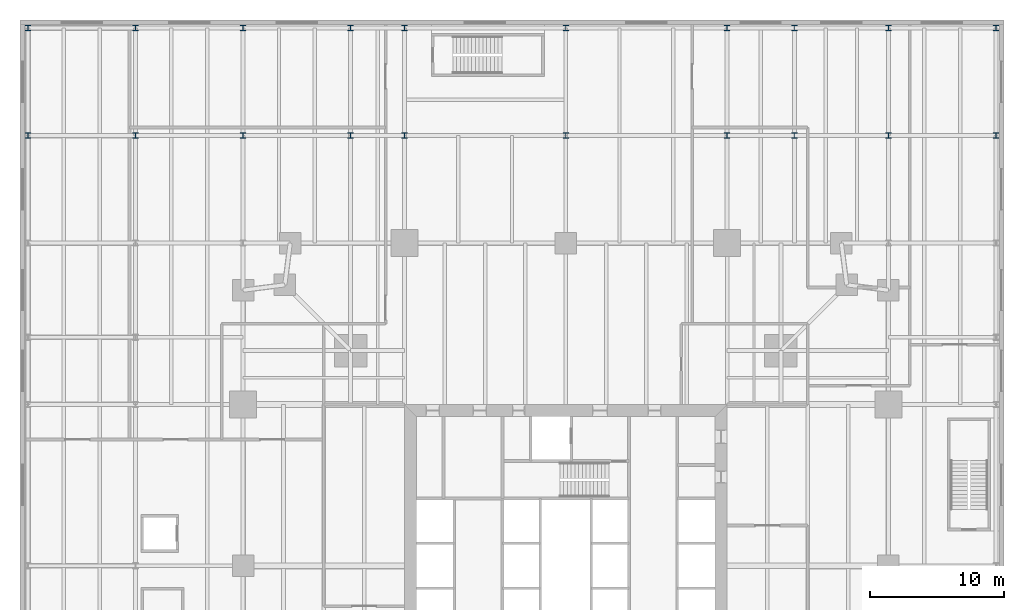
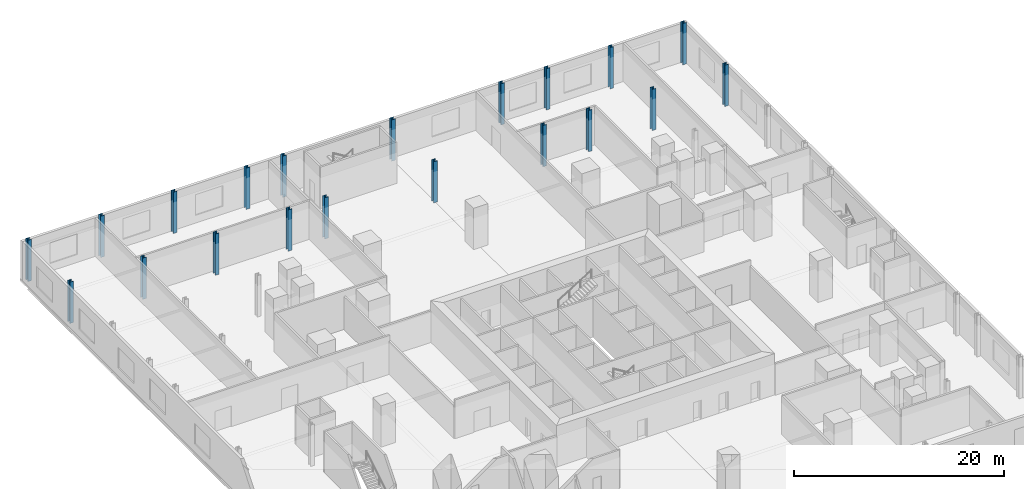
# One storey, part 4 of 16: 20 columns.
"""IFC4 building model written with IfcOpenShell, lengths in metres."""

from ifc_helpers import new_model, si_unit, direction, frame, origin, origin_2d, place, context, subcontext, project, spatial, i_section, extrude, material, material_profile, profile_set, type_object, element, save


model = new_model("IFC4")

# Units and contexts
model_context = context("Model", 3, precision=1e-05, world=origin(), true_north=direction((0.0, 1.0)))
body_context = subcontext(model_context, "Body", "Model", "MODEL_VIEW")
ifc_project = project(units=[si_unit("LENGTHUNIT", "METRE"), si_unit("AREAUNIT", "SQUARE_METRE"), si_unit("VOLUMEUNIT", "CUBIC_METRE"), si_unit("PLANEANGLEUNIT", "RADIAN"), si_unit("MASSUNIT", "GRAM", prefix="KILO")], contexts=[model_context])

# Site, building, storey
site_placement = place(None, origin())
site = spatial("IfcSite", under=ifc_project, at=site_placement, CompositionType="ELEMENT")
building_placement = place(site_placement, origin())
building = spatial("IfcBuilding", under=site, at=building_placement, Name="Fenwick Lantern Interchange", CompositionType="ELEMENT")
storey_placement = place(building_placement, frame((0.0, 0.0, 16.60009765625)))
storey = spatial("IfcBuildingStorey", under=building, at=storey_placement, Name="L03", CompositionType="ELEMENT", Elevation=16.60009765625)

# Columns
ifc_material = material(Name="Steel ASTM A992 Grade 50", Category="steel")
ifc_material_profile = material_profile(ifc_material, i_section(OverallWidth=0.406494140625, OverallDepth=0.41650390625, WebThickness=0.030029296875, FlangeThickness=0.048095703125, at=origin_2d()), Name="W14X257")
ifc_profile_set = profile_set([ifc_material_profile], Name="Steel ASTM A992 Grade 50")
column_type = type_object("IfcColumnType", Name="PODIUM COLUMN W14X257", PredefinedType="COLUMN", material=ifc_profile_set)
for number, where, z_axis, x_axis, name in (
    (1, (-15.0, 57.0, 0.0), (0.0, 0.0, 1.0), (1.0, 0.0, 0.0), "L03/PK1"),
    (2, (-15.0, 65.0, 0.0), (0.0, 0.0, 1.0), (1.0, 0.0, 0.0), "L03/PL1"),
    (3, (-7.0, 57.0, 0.0), (0.0, 0.0, 1.0), (1.0, 0.0, 0.0), "L03/PK2"),
    (4, (-7.0, 65.0, 0.0), (0.0, 0.0, 1.0), (1.0, 0.0, 0.0), "L03/PL2"),
    (5, (1.0, 57.0, 0.0), (0.0, 0.0, 1.0), (1.0, 0.0, 0.0), "L03/PK3"),
    (6, (1.0, 65.0, 0.0), (0.0, 0.0, 1.0), (1.0, 0.0, 0.0), "L03/PL3"),
    (7, (9.0, 57.0, 0.0), (0.0, 0.0, 1.0), (1.0, 0.0, 0.0), "L03/PK4"),
    (8, (9.0, 65.0, 0.0), (0.0, 0.0, 1.0), (1.0, 0.0, 0.0), "L03/PL4"),
    (9, (13.0, 57.0, 0.0), (0.0, 0.0, 1.0), (1.0, 0.0, 0.0), "L03/PK5"),
    (10, (13.0, 65.0, 0.0), (0.0, 0.0, 1.0), (1.0, 0.0, 0.0), "L03/PL5"),
    (11, (25.0, 57.0, 0.0), (0.0, 0.0, 1.0), (1.0, 0.0, 0.0), "L03/PK6"),
    (12, (25.0, 65.0, 0.0), (0.0, 0.0, 1.0), (1.0, 0.0, 0.0), "L03/PL6"),
    (13, (37.0, 57.0, 0.0), (0.0, 0.0, 1.0), (1.0, 0.0, 0.0), "L03/PK7"),
    (14, (37.0, 65.0, 0.0), (0.0, 0.0, 1.0), (1.0, 0.0, 0.0), "L03/PL7"),
    (15, (42.0, 57.0, 0.0), (0.0, 0.0, 1.0), (1.0, 0.0, 0.0), "L03/PK8"),
    (16, (42.0, 65.0, 0.0), (0.0, 0.0, 1.0), (1.0, 0.0, 0.0), "L03/PL8"),
    (17, (49.0, 57.0, 0.0), (0.0, 0.0, 1.0), (1.0, 0.0, 0.0), "L03/PK9"),
    (18, (49.0, 65.0, 0.0), (0.0, 0.0, 1.0), (1.0, 0.0, 0.0), "L03/PL9"),
    (19, (57.0, 57.0, 0.0), (0.0, 0.0, 1.0), (1.0, 0.0, 0.0), "L03/PK10"),
    (20, (57.0, 65.0, 0.0), (0.0, 0.0, 1.0), (1.0, 0.0, 0.0), "L03/PL10"),
):
    element("IfcColumn", number, at=place(storey_placement, frame(where, z_axis=z_axis, x_axis=x_axis)), inside=storey, type_object=column_type, Name=name, PredefinedType="COLUMN", context=body_context, shape_type="SweptSolid", body=[
        extrude(i_section(OverallWidth=0.406494140625, OverallDepth=0.41650390625, WebThickness=0.030029296875, FlangeThickness=0.048095703125, at=origin_2d()), origin(), (0.0, 0.0, 1.0), 4.7998046875),
    ])

save(model, "model.ifc")
